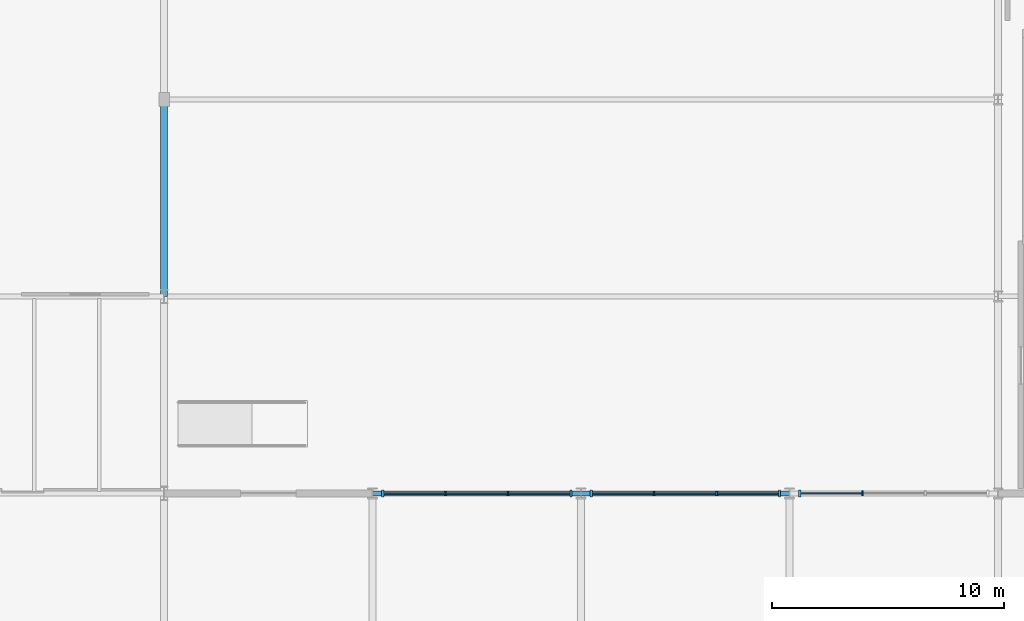
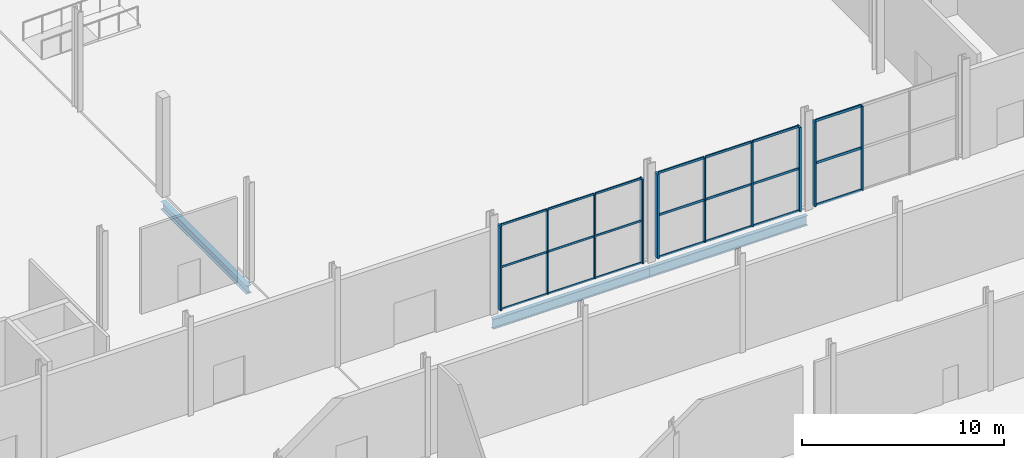
# One storey, part 42 of 84: 31 members, 3 beams, 3 elements without a shape of their own.
"""IFC4 building model written with IfcOpenShell, lengths in metres."""

from ifc_helpers import new_model, si_unit, direction, frame, origin, origin_2d, place, context, subcontext, project, spatial, rectangle, i_section, extrude, material, layer, layer_set, material_profile, profile_set, type_object, element, aggregate, save


model = new_model("IFC4")

# Units and contexts
model_context = context("Model", 3, precision=1e-05, world=origin(), true_north=direction((0.0, 1.0)))
body_context = subcontext(model_context, "Body", "Model", "MODEL_VIEW")
ifc_project = project(units=[si_unit("LENGTHUNIT", "METRE"), si_unit("AREAUNIT", "SQUARE_METRE"), si_unit("VOLUMEUNIT", "CUBIC_METRE"), si_unit("PLANEANGLEUNIT", "RADIAN"), si_unit("MASSUNIT", "GRAM", prefix="KILO")], contexts=[model_context])

# Site, building, storey
site_placement = place(None, origin())
site = spatial("IfcSite", under=ifc_project, at=site_placement, CompositionType="ELEMENT")
building_placement = place(site_placement, origin())
building = spatial("IfcBuilding", under=site, at=building_placement, Name="Sefraquen Railside Congress Hotel", CompositionType="ELEMENT")
storey_placement = place(building_placement, origin())
storey = spatial("IfcBuildingStorey", under=building, at=storey_placement, Name="L00", CompositionType="ELEMENT", Elevation=0.0)

# Beams
ifc_material_1 = material(Name="Steel S355JR", Category="steel")
ifc_material_profile_1 = material_profile(ifc_material_1, i_section(OverallWidth=0.300048828125, OverallDepth=0.489990234375, WebThickness=0.011962890625, FlangeThickness=0.02294921875, FilletRadius=0.027099609375, at=origin_2d()), Name="HEA 500")
ifc_profile_set_1 = profile_set([ifc_material_profile_1], Name="Steel S355JR")
beam_type_1 = type_object("IfcBeamType", Name="TB-GIR-500", PredefinedType="T_BEAM", material=ifc_profile_set_1)
beam_placement = place(storey_placement, frame((128.39990234375, 62.5, -0.64501953125), z_axis=(0.0, 1.0, 0.0), x_axis=(-1.0, 0.0, 0.0)))
element("IfcBeam", 1, at=beam_placement, inside=storey, type_object=beam_type_1, Name="Floor beam BM-L00-0310", PredefinedType="T_BEAM", context=body_context, shape_type="SweptSolid", body=[
    extrude(i_section(OverallWidth=0.300048828125, OverallDepth=0.489990234375, WebThickness=0.011962890625, FlangeThickness=0.02294921875, FilletRadius=0.027099609375, at=origin_2d()), origin(), (0.0, 0.0, 1.0), 8.5),
])
ifc_material_profile_2 = material_profile(ifc_material_1, i_section(OverallWidth=0.219970703125, OverallDepth=0.60009765625, WebThickness=0.011962890625, FlangeThickness=0.01904296875, FilletRadius=0.02392578125, at=origin_2d()), Name="IPE 600")
ifc_profile_set_2 = profile_set([ifc_material_profile_2], Name="Steel S355JR")
beam_type_2 = type_object("IfcBeamType", Name="TB-GIR-600", PredefinedType="T_BEAM", material=ifc_profile_set_2)
for number, where, z_axis, x_axis, name in (
    (2, (137.39990234375, 54.0, -0.699951171875), (1.0, 0.0, 0.0), (0.0, 1.0, 0.0), "Primary girder BM-L00-0068"),
    (3, (146.39990234375, 54.0, -0.699951171875), (1.0, 0.0, 0.0), (0.0, 1.0, 0.0), "Primary girder BM-L00-0069"),
):
    element("IfcBeam", number, at=place(storey_placement, frame(where, z_axis=z_axis, x_axis=x_axis)), inside=storey, type_object=beam_type_2, Name=name, PredefinedType="T_BEAM", context=body_context, shape_type="SweptSolid", body=[
        extrude(i_section(OverallWidth=0.219970703125, OverallDepth=0.60009765625, WebThickness=0.011962890625, FlangeThickness=0.01904296875, FilletRadius=0.02392578125, at=origin_2d()), origin(), (0.0, 0.0, 1.0), 9.0),
    ])

# Curtain wall, members
ifc_material_2 = material(Name="Thermally broken anodised aluminium and low-E double glazing", Category="aluminium")
ifc_layer_1 = layer(ifc_material_2, 0.199951171875)
ifc_layer_set_1 = layer_set([ifc_layer_1], Name="Thermally broken anodised aluminium and low-E double glazing")
curtain_wall_type_1 = type_object("IfcCurtainWallType", Name="TCW-UCW-09", PredefinedType="USERDEFINED", material=ifc_layer_set_1)
curtain_wall_1_placement = place(storey_placement, origin())
curtain_wall_1 = element("IfcCurtainWall", 4, at=curtain_wall_1_placement, inside=storey, type_object=curtain_wall_type_1, Name="Grand Ballroom south garden curtain wall UCW-09", ObjectType="UNITISED CURTAIN WALL", PredefinedType="USERDEFINED")
ifc_material_3 = material(Name="Thermally broken anodised aluminium 6063-T6", Category="aluminium")
ifc_material_profile_3 = material_profile(ifc_material_3, rectangle(XDim=0.06494140625, YDim=0.179931640625, at=origin_2d()), Name="CWM 65x180")
ifc_profile_set_3 = profile_set([ifc_material_profile_3], Name="Thermally broken anodised aluminium 6063-T6")
member_type_1 = type_object("IfcMemberType", Name="TM-CWM-02", PredefinedType="MULLION", material=ifc_profile_set_3)
member_1_placement = place(storey_placement, frame((140.546630859375, 54.0, 0.0), z_axis=(0.0, 0.0, 1.0), x_axis=(1.0, 0.0, 0.0)))
member_1 = element("IfcMember", 5, at=member_1_placement, type_object=member_type_1, Name="CW-L00-009 mullion 2", PredefinedType="MULLION", context=body_context, shape_type="SweptSolid", body=[
    extrude(rectangle(XDim=0.06494140625, YDim=0.179931640625, at=origin_2d()), origin(), (0.0, 0.0, 1.0), 5.10009765625),
])
member_2_placement = place(storey_placement, frame((143.25341796875, 54.0, 0.0), z_axis=(0.0, 0.0, 1.0), x_axis=(1.0, 0.0, 0.0)))
member_2 = element("IfcMember", 6, at=member_2_placement, type_object=member_type_1, Name="CW-L00-009 mullion 3", PredefinedType="MULLION", context=body_context, shape_type="SweptSolid", body=[
    extrude(rectangle(XDim=0.06494140625, YDim=0.179931640625, at=origin_2d()), origin(), (0.0, 0.0, 1.0), 5.10009765625),
])

ifc_layer_2 = layer(ifc_material_2, 0.199951171875)
ifc_layer_set_2 = layer_set([ifc_layer_2], Name="Thermally broken anodised aluminium and low-E double glazing")
curtain_wall_type_2 = type_object("IfcCurtainWallType", Name="TCW-UCW-10", PredefinedType="USERDEFINED", material=ifc_layer_set_2)
curtain_wall_2_placement = place(storey_placement, origin())
curtain_wall_2 = element("IfcCurtainWall", 7, at=curtain_wall_2_placement, inside=storey, type_object=curtain_wall_type_2, Name="Grand Ballroom south garden curtain wall UCW-10", ObjectType="UNITISED CURTAIN WALL", PredefinedType="USERDEFINED")
ifc_material_profile_4 = material_profile(ifc_material_3, rectangle(XDim=0.070068359375, YDim=0.199951171875, at=origin_2d()), Name="CWM 70x200")
ifc_profile_set_4 = profile_set([ifc_material_profile_4], Name="Thermally broken anodised aluminium 6063-T6")
member_type_2 = type_object("IfcMemberType", Name="TM-CWM-03", PredefinedType="MULLION", material=ifc_profile_set_4)
member_3_placement = place(storey_placement, frame((149.546630859375, 54.0, 0.0), z_axis=(0.0, 0.0, 1.0), x_axis=(1.0, 0.0, 0.0)))
member_3 = element("IfcMember", 8, at=member_3_placement, type_object=member_type_2, Name="CW-L00-010 mullion 2", PredefinedType="MULLION", context=body_context, shape_type="SweptSolid", body=[
    extrude(rectangle(XDim=0.070068359375, YDim=0.199951171875, at=origin_2d()), origin(), (0.0, 0.0, 1.0), 5.10009765625),
])
member_4_placement = place(storey_placement, frame((152.25341796875, 54.0, 0.0), z_axis=(0.0, 0.0, 1.0), x_axis=(1.0, 0.0, 0.0)))
member_4 = element("IfcMember", 9, at=member_4_placement, type_object=member_type_2, Name="CW-L00-010 mullion 3", PredefinedType="MULLION", context=body_context, shape_type="SweptSolid", body=[
    extrude(rectangle(XDim=0.070068359375, YDim=0.199951171875, at=origin_2d()), origin(), (0.0, 0.0, 1.0), 5.10009765625),
])

# Curtain wall, member
ifc_layer_3 = layer(ifc_material_2, 0.199951171875)
ifc_layer_set_3 = layer_set([ifc_layer_3], Name="Thermally broken anodised aluminium and low-E double glazing")
curtain_wall_type_3 = type_object("IfcCurtainWallType", Name="TCW-UCW-11", PredefinedType="USERDEFINED", material=ifc_layer_set_3)
curtain_wall_3_placement = place(storey_placement, origin())
curtain_wall_3 = element("IfcCurtainWall", 10, at=curtain_wall_3_placement, inside=storey, type_object=curtain_wall_type_3, Name="Grand Ballroom south garden curtain wall UCW-11", ObjectType="UNITISED CURTAIN WALL", PredefinedType="USERDEFINED")
ifc_material_profile_5 = material_profile(ifc_material_3, rectangle(XDim=0.074951171875, YDim=0.219970703125, at=origin_2d()), Name="CWM 75x220")
ifc_profile_set_5 = profile_set([ifc_material_profile_5], Name="Thermally broken anodised aluminium 6063-T6")
member_type_3 = type_object("IfcMemberType", Name="TM-CWM-04", PredefinedType="MULLION", material=ifc_profile_set_5)
member_5_placement = place(storey_placement, frame((158.546630859375, 54.0, 0.0), z_axis=(0.0, 0.0, 1.0), x_axis=(1.0, 0.0, 0.0)))
member_5 = element("IfcMember", 11, at=member_5_placement, type_object=member_type_3, Name="CW-L00-011 mullion 2", PredefinedType="MULLION", context=body_context, shape_type="SweptSolid", body=[
    extrude(rectangle(XDim=0.074951171875, YDim=0.219970703125, at=origin_2d()), origin(), (0.0, 0.0, 1.0), 5.10009765625),
])

# Member
ifc_material_profile_6 = material_profile(ifc_material_3, rectangle(XDim=0.094970703125, YDim=0.300048828125, at=origin_2d()), Name="CWM 95x300")
ifc_profile_set_6 = profile_set([ifc_material_profile_6], Name="Thermally broken anodised aluminium 6063-T6")
member_type_4 = type_object("IfcMemberType", Name="TM-CWM-08", PredefinedType="MULLION", material=ifc_profile_set_6)
member_6_placement = place(storey_placement, frame((137.840087890625, 54.0, 0.0), z_axis=(0.0, 0.0, 1.0), x_axis=(1.0, 0.0, 0.0)))
member_6 = element("IfcMember", 12, at=member_6_placement, type_object=member_type_4, Name="CW-L00-009 mullion 1", PredefinedType="MULLION", context=body_context, shape_type="SweptSolid", body=[
    extrude(rectangle(XDim=0.094970703125, YDim=0.300048828125, at=origin_2d()), origin(), (0.0, 0.0, 1.0), 5.10009765625),
])

member_7_placement = place(storey_placement, frame((145.9599609375, 54.0, 0.0), z_axis=(0.0, 0.0, 1.0), x_axis=(1.0, 0.0, 0.0)))
member_7 = element("IfcMember", 13, at=member_7_placement, type_object=member_type_4, Name="CW-L00-009 mullion 4", PredefinedType="MULLION", context=body_context, shape_type="SweptSolid", body=[
    extrude(rectangle(XDim=0.094970703125, YDim=0.300048828125, at=origin_2d()), origin(), (0.0, 0.0, 1.0), 5.10009765625),
])

member_8_placement = place(storey_placement, frame((146.840087890625, 54.0, 0.0), z_axis=(0.0, 0.0, 1.0), x_axis=(1.0, 0.0, 0.0)))
member_8 = element("IfcMember", 14, at=member_8_placement, type_object=member_type_4, Name="CW-L00-010 mullion 1", PredefinedType="MULLION", context=body_context, shape_type="SweptSolid", body=[
    extrude(rectangle(XDim=0.094970703125, YDim=0.300048828125, at=origin_2d()), origin(), (0.0, 0.0, 1.0), 5.10009765625),
])

member_9_placement = place(storey_placement, frame((154.9599609375, 54.0, 0.0), z_axis=(0.0, 0.0, 1.0), x_axis=(1.0, 0.0, 0.0)))
member_9 = element("IfcMember", 15, at=member_9_placement, type_object=member_type_4, Name="CW-L00-010 mullion 4", PredefinedType="MULLION", context=body_context, shape_type="SweptSolid", body=[
    extrude(rectangle(XDim=0.094970703125, YDim=0.300048828125, at=origin_2d()), origin(), (0.0, 0.0, 1.0), 5.10009765625),
])

member_10_placement = place(storey_placement, frame((155.840087890625, 54.0, 0.0), z_axis=(0.0, 0.0, 1.0), x_axis=(1.0, 0.0, 0.0)))
member_10 = element("IfcMember", 16, at=member_10_placement, type_object=member_type_4, Name="CW-L00-011 mullion 1", PredefinedType="MULLION", context=body_context, shape_type="SweptSolid", body=[
    extrude(rectangle(XDim=0.094970703125, YDim=0.300048828125, at=origin_2d()), origin(), (0.0, 0.0, 1.0), 5.10009765625),
])

ifc_material_profile_7 = material_profile(ifc_material_3, rectangle(XDim=0.06005859375, YDim=0.1201171875, at=origin_2d()), Name="CWT 60x120")
ifc_profile_set_7 = profile_set([ifc_material_profile_7], Name="Thermally broken anodised aluminium 6063-T6")
member_type_5 = type_object("IfcMemberType", Name="TM-CWT-01", PredefinedType="USERDEFINED", material=ifc_profile_set_7)
member_11_placement = place(storey_placement, frame((137.885009765625, 54.0, 0.0), z_axis=(1.0, 0.0, 0.0), x_axis=(0.0, 1.0, 0.0)))
member_11 = element("IfcMember", 17, at=member_11_placement, type_object=member_type_5, Name="CW-L00-009 transom 1.1", ObjectType="TRANSOM", PredefinedType="USERDEFINED", context=body_context, shape_type="SweptSolid", body=[
    extrude(rectangle(XDim=0.06005859375, YDim=0.1201171875, at=origin_2d()), origin(), (0.0, 0.0, 1.0), 2.61669921875),
])

member_12_placement = place(storey_placement, frame((140.591796875, 54.0, 0.0), z_axis=(1.0, 0.0, 0.0), x_axis=(0.0, 1.0, 0.0)))
member_12 = element("IfcMember", 18, at=member_12_placement, type_object=member_type_5, Name="CW-L00-009 transom 1.2", ObjectType="TRANSOM", PredefinedType="USERDEFINED", context=body_context, shape_type="SweptSolid", body=[
    extrude(rectangle(XDim=0.06005859375, YDim=0.1201171875, at=origin_2d()), origin(), (0.0, 0.0, 1.0), 2.616455078125),
])

member_13_placement = place(storey_placement, frame((143.29833984375, 54.0, 0.0), z_axis=(1.0, 0.0, 0.0), x_axis=(0.0, 1.0, 0.0)))
member_13 = element("IfcMember", 19, at=member_13_placement, type_object=member_type_5, Name="CW-L00-009 transom 1.3", ObjectType="TRANSOM", PredefinedType="USERDEFINED", context=body_context, shape_type="SweptSolid", body=[
    extrude(rectangle(XDim=0.06005859375, YDim=0.1201171875, at=origin_2d()), origin(), (0.0, 0.0, 1.0), 2.61669921875),
])

member_14_placement = place(storey_placement, frame((137.885009765625, 54.0, 2.550048828125), z_axis=(1.0, 0.0, 0.0), x_axis=(0.0, 1.0, 0.0)))
member_14 = element("IfcMember", 20, at=member_14_placement, type_object=member_type_5, Name="CW-L00-009 transom 2.1", ObjectType="TRANSOM", PredefinedType="USERDEFINED", context=body_context, shape_type="SweptSolid", body=[
    extrude(rectangle(XDim=0.06005859375, YDim=0.1201171875, at=origin_2d()), origin(), (0.0, 0.0, 1.0), 2.61669921875),
])

member_15_placement = place(storey_placement, frame((140.591796875, 54.0, 2.550048828125), z_axis=(1.0, 0.0, 0.0), x_axis=(0.0, 1.0, 0.0)))
member_15 = element("IfcMember", 21, at=member_15_placement, type_object=member_type_5, Name="CW-L00-009 transom 2.2", ObjectType="TRANSOM", PredefinedType="USERDEFINED", context=body_context, shape_type="SweptSolid", body=[
    extrude(rectangle(XDim=0.06005859375, YDim=0.1201171875, at=origin_2d()), origin(), (0.0, 0.0, 1.0), 2.616455078125),
])

member_16_placement = place(storey_placement, frame((143.29833984375, 54.0, 2.550048828125), z_axis=(1.0, 0.0, 0.0), x_axis=(0.0, 1.0, 0.0)))
member_16 = element("IfcMember", 22, at=member_16_placement, type_object=member_type_5, Name="CW-L00-009 transom 2.3", ObjectType="TRANSOM", PredefinedType="USERDEFINED", context=body_context, shape_type="SweptSolid", body=[
    extrude(rectangle(XDim=0.06005859375, YDim=0.1201171875, at=origin_2d()), origin(), (0.0, 0.0, 1.0), 2.61669921875),
])

member_17_placement = place(storey_placement, frame((137.885009765625, 54.0, 5.10009765625), z_axis=(1.0, 0.0, 0.0), x_axis=(0.0, 1.0, 0.0)))
member_17 = element("IfcMember", 23, at=member_17_placement, type_object=member_type_5, Name="CW-L00-009 transom 3.1", ObjectType="TRANSOM", PredefinedType="USERDEFINED", context=body_context, shape_type="SweptSolid", body=[
    extrude(rectangle(XDim=0.06005859375, YDim=0.1201171875, at=origin_2d()), origin(), (0.0, 0.0, 1.0), 2.61669921875),
])

member_18_placement = place(storey_placement, frame((140.591796875, 54.0, 5.10009765625), z_axis=(1.0, 0.0, 0.0), x_axis=(0.0, 1.0, 0.0)))
member_18 = element("IfcMember", 24, at=member_18_placement, type_object=member_type_5, Name="CW-L00-009 transom 3.2", ObjectType="TRANSOM", PredefinedType="USERDEFINED", context=body_context, shape_type="SweptSolid", body=[
    extrude(rectangle(XDim=0.06005859375, YDim=0.1201171875, at=origin_2d()), origin(), (0.0, 0.0, 1.0), 2.616455078125),
])

member_19_placement = place(storey_placement, frame((143.29833984375, 54.0, 5.10009765625), z_axis=(1.0, 0.0, 0.0), x_axis=(0.0, 1.0, 0.0)))
member_19 = element("IfcMember", 25, at=member_19_placement, type_object=member_type_5, Name="CW-L00-009 transom 3.3", ObjectType="TRANSOM", PredefinedType="USERDEFINED", context=body_context, shape_type="SweptSolid", body=[
    extrude(rectangle(XDim=0.06005859375, YDim=0.1201171875, at=origin_2d()), origin(), (0.0, 0.0, 1.0), 2.61669921875),
])

aggregate(curtain_wall_1, [member_6, member_1, member_2, member_7, member_11, member_12, member_13, member_14, member_15, member_16, member_17, member_18, member_19])

ifc_material_profile_8 = material_profile(ifc_material_3, rectangle(XDim=0.06494140625, YDim=0.135009765625, at=origin_2d()), Name="CWT 65x135")
ifc_profile_set_8 = profile_set([ifc_material_profile_8], Name="Thermally broken anodised aluminium 6063-T6")
member_type_6 = type_object("IfcMemberType", Name="TM-CWT-02", PredefinedType="USERDEFINED", material=ifc_profile_set_8)
member_20_placement = place(storey_placement, frame((146.885009765625, 54.0, 0.0), z_axis=(1.0, 0.0, 0.0), x_axis=(0.0, 1.0, 0.0)))
member_20 = element("IfcMember", 26, at=member_20_placement, type_object=member_type_6, Name="CW-L00-010 transom 1.1", ObjectType="TRANSOM", PredefinedType="USERDEFINED", context=body_context, shape_type="SweptSolid", body=[
    extrude(rectangle(XDim=0.06494140625, YDim=0.135009765625, at=origin_2d()), origin(), (0.0, 0.0, 1.0), 2.61669921875),
])

member_21_placement = place(storey_placement, frame((149.591796875, 54.0, 0.0), z_axis=(1.0, 0.0, 0.0), x_axis=(0.0, 1.0, 0.0)))
member_21 = element("IfcMember", 27, at=member_21_placement, type_object=member_type_6, Name="CW-L00-010 transom 1.2", ObjectType="TRANSOM", PredefinedType="USERDEFINED", context=body_context, shape_type="SweptSolid", body=[
    extrude(rectangle(XDim=0.06494140625, YDim=0.135009765625, at=origin_2d()), origin(), (0.0, 0.0, 1.0), 2.616455078125),
])

member_22_placement = place(storey_placement, frame((152.29833984375, 54.0, 0.0), z_axis=(1.0, 0.0, 0.0), x_axis=(0.0, 1.0, 0.0)))
member_22 = element("IfcMember", 28, at=member_22_placement, type_object=member_type_6, Name="CW-L00-010 transom 1.3", ObjectType="TRANSOM", PredefinedType="USERDEFINED", context=body_context, shape_type="SweptSolid", body=[
    extrude(rectangle(XDim=0.06494140625, YDim=0.135009765625, at=origin_2d()), origin(), (0.0, 0.0, 1.0), 2.61669921875),
])

member_23_placement = place(storey_placement, frame((146.885009765625, 54.0, 2.550048828125), z_axis=(1.0, 0.0, 0.0), x_axis=(0.0, 1.0, 0.0)))
member_23 = element("IfcMember", 29, at=member_23_placement, type_object=member_type_6, Name="CW-L00-010 transom 2.1", ObjectType="TRANSOM", PredefinedType="USERDEFINED", context=body_context, shape_type="SweptSolid", body=[
    extrude(rectangle(XDim=0.06494140625, YDim=0.135009765625, at=origin_2d()), origin(), (0.0, 0.0, 1.0), 2.61669921875),
])

member_24_placement = place(storey_placement, frame((149.591796875, 54.0, 2.550048828125), z_axis=(1.0, 0.0, 0.0), x_axis=(0.0, 1.0, 0.0)))
member_24 = element("IfcMember", 30, at=member_24_placement, type_object=member_type_6, Name="CW-L00-010 transom 2.2", ObjectType="TRANSOM", PredefinedType="USERDEFINED", context=body_context, shape_type="SweptSolid", body=[
    extrude(rectangle(XDim=0.06494140625, YDim=0.135009765625, at=origin_2d()), origin(), (0.0, 0.0, 1.0), 2.616455078125),
])

member_25_placement = place(storey_placement, frame((152.29833984375, 54.0, 2.550048828125), z_axis=(1.0, 0.0, 0.0), x_axis=(0.0, 1.0, 0.0)))
member_25 = element("IfcMember", 31, at=member_25_placement, type_object=member_type_6, Name="CW-L00-010 transom 2.3", ObjectType="TRANSOM", PredefinedType="USERDEFINED", context=body_context, shape_type="SweptSolid", body=[
    extrude(rectangle(XDim=0.06494140625, YDim=0.135009765625, at=origin_2d()), origin(), (0.0, 0.0, 1.0), 2.61669921875),
])

member_26_placement = place(storey_placement, frame((146.885009765625, 54.0, 5.10009765625), z_axis=(1.0, 0.0, 0.0), x_axis=(0.0, 1.0, 0.0)))
member_26 = element("IfcMember", 32, at=member_26_placement, type_object=member_type_6, Name="CW-L00-010 transom 3.1", ObjectType="TRANSOM", PredefinedType="USERDEFINED", context=body_context, shape_type="SweptSolid", body=[
    extrude(rectangle(XDim=0.06494140625, YDim=0.135009765625, at=origin_2d()), origin(), (0.0, 0.0, 1.0), 2.61669921875),
])

member_27_placement = place(storey_placement, frame((149.591796875, 54.0, 5.10009765625), z_axis=(1.0, 0.0, 0.0), x_axis=(0.0, 1.0, 0.0)))
member_27 = element("IfcMember", 33, at=member_27_placement, type_object=member_type_6, Name="CW-L00-010 transom 3.2", ObjectType="TRANSOM", PredefinedType="USERDEFINED", context=body_context, shape_type="SweptSolid", body=[
    extrude(rectangle(XDim=0.06494140625, YDim=0.135009765625, at=origin_2d()), origin(), (0.0, 0.0, 1.0), 2.616455078125),
])

member_28_placement = place(storey_placement, frame((152.29833984375, 54.0, 5.10009765625), z_axis=(1.0, 0.0, 0.0), x_axis=(0.0, 1.0, 0.0)))
member_28 = element("IfcMember", 34, at=member_28_placement, type_object=member_type_6, Name="CW-L00-010 transom 3.3", ObjectType="TRANSOM", PredefinedType="USERDEFINED", context=body_context, shape_type="SweptSolid", body=[
    extrude(rectangle(XDim=0.06494140625, YDim=0.135009765625, at=origin_2d()), origin(), (0.0, 0.0, 1.0), 2.61669921875),
])

aggregate(curtain_wall_2, [member_8, member_3, member_4, member_9, member_20, member_21, member_22, member_23, member_24, member_25, member_26, member_27, member_28])

ifc_material_profile_9 = material_profile(ifc_material_3, rectangle(XDim=0.070068359375, YDim=0.14990234375, at=origin_2d()), Name="CWT 70x150")
ifc_profile_set_9 = profile_set([ifc_material_profile_9], Name="Thermally broken anodised aluminium 6063-T6")
member_type_7 = type_object("IfcMemberType", Name="TM-CWT-03", PredefinedType="USERDEFINED", material=ifc_profile_set_9)
member_29_placement = place(storey_placement, frame((155.885009765625, 54.0, 0.0), z_axis=(1.0, 0.0, 0.0), x_axis=(0.0, 1.0, 0.0)))
member_29 = element("IfcMember", 35, at=member_29_placement, type_object=member_type_7, Name="CW-L00-011 transom 1.1", ObjectType="TRANSOM", PredefinedType="USERDEFINED", context=body_context, shape_type="SweptSolid", body=[
    extrude(rectangle(XDim=0.070068359375, YDim=0.14990234375, at=origin_2d()), origin(), (0.0, 0.0, 1.0), 2.61669921875),
])

member_30_placement = place(storey_placement, frame((155.885009765625, 54.0, 2.550048828125), z_axis=(1.0, 0.0, 0.0), x_axis=(0.0, 1.0, 0.0)))
member_30 = element("IfcMember", 36, at=member_30_placement, type_object=member_type_7, Name="CW-L00-011 transom 2.1", ObjectType="TRANSOM", PredefinedType="USERDEFINED", context=body_context, shape_type="SweptSolid", body=[
    extrude(rectangle(XDim=0.070068359375, YDim=0.14990234375, at=origin_2d()), origin(), (0.0, 0.0, 1.0), 2.61669921875),
])

member_31_placement = place(storey_placement, frame((155.885009765625, 54.0, 5.10009765625), z_axis=(1.0, 0.0, 0.0), x_axis=(0.0, 1.0, 0.0)))
member_31 = element("IfcMember", 37, at=member_31_placement, type_object=member_type_7, Name="CW-L00-011 transom 3.1", ObjectType="TRANSOM", PredefinedType="USERDEFINED", context=body_context, shape_type="SweptSolid", body=[
    extrude(rectangle(XDim=0.070068359375, YDim=0.14990234375, at=origin_2d()), origin(), (0.0, 0.0, 1.0), 2.61669921875),
])

aggregate(curtain_wall_3, [member_10, member_5, member_29, member_30, member_31])

save(model, "model.ifc")
